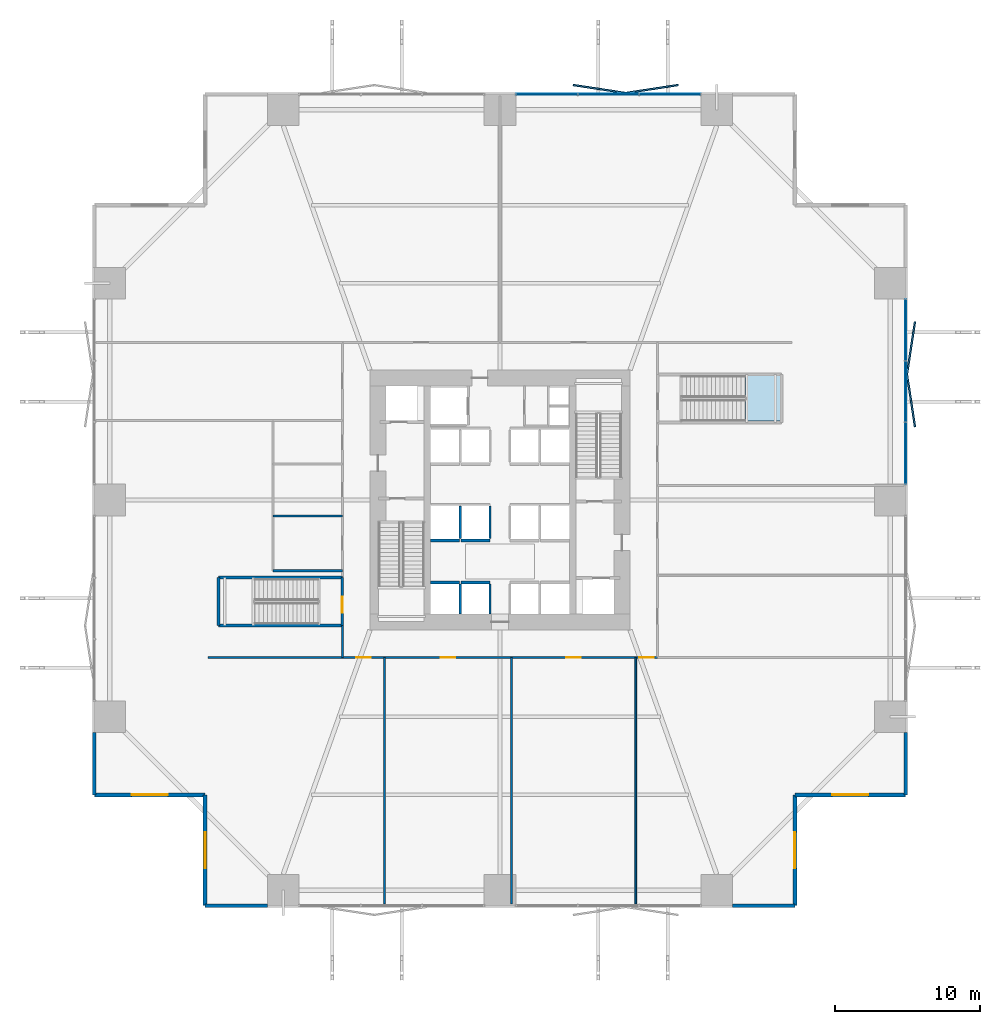
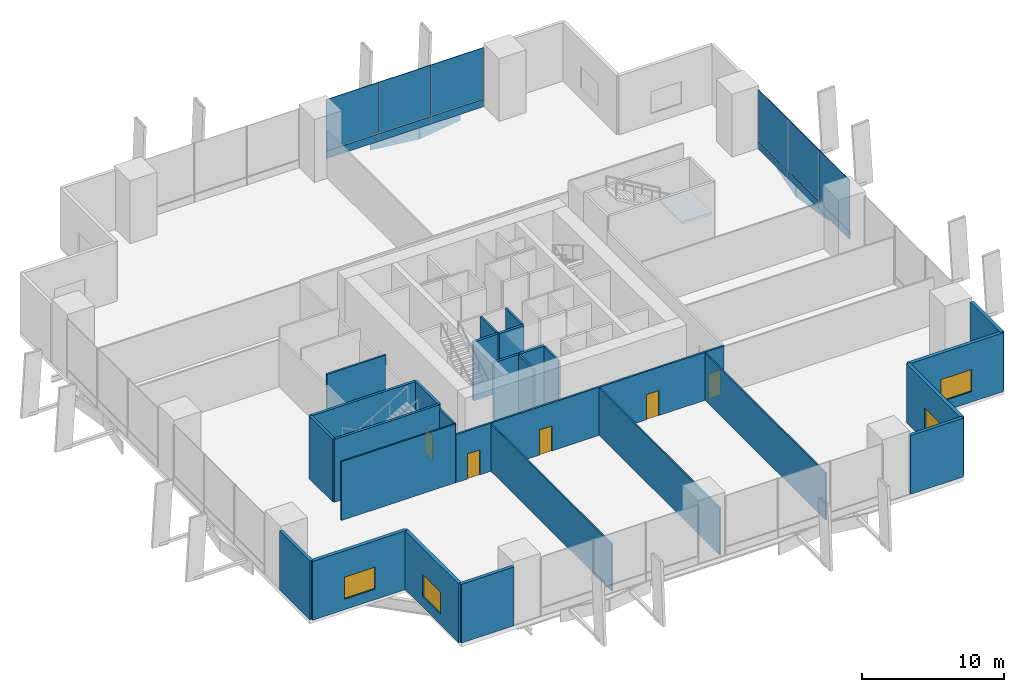
# One storey, part 19 of 24: 28 walls, 16 plates, 5 doors, 4 windows, 1 slab, 9 openings, 3 elements without a shape of their own.
"""IFC4 building model written with IfcOpenShell, lengths in metres."""

import ifcopenshell
import ifcopenshell.guid

model = None  # the IFC model being written
_history = None  # IfcOwnerHistory: only IFC2X3 demands one
_inside = {}  # id of a spatial element -> (the spatial element, [elements in it])
_under = {}  # id of a project, library or spatial element -> (it, [spatial elements below it])
_declared = {}  # id of a project -> (the project, [libraries it declares])
_typed = {}  # id of a type object -> (the type object, [elements of that type])
_made_of = {}  # id of a material, layer set ... -> (it, [elements and type objects made of it])


def new_model(schema):
    """Start an empty IFC model of exactly this schema.

    Asked for "IFC4X3", IfcOpenShell would pick the latest addendum, in which some entities
    have other attributes; the version numbers below select the first issue.
    IFC2X3 requires an IfcOwnerHistory on every rooted entity: one is made here for all.
    """
    global model, _history
    if schema == "IFC4X3":
        model = ifcopenshell.file(schema_version=(4, 3, 0, 0))
    else:
        model = ifcopenshell.file(schema=schema)
    _inside.clear()
    _under.clear()
    _declared.clear()
    _typed.clear()
    _made_of.clear()
    _history = None
    if model.schema == "IFC2X3":
        org = make("IfcOrganization", Name="unknown")
        user = make(
            "IfcPersonAndOrganization",
            ThePerson=make("IfcPerson", FamilyName="unknown"),
            TheOrganization=org,
        )
        app = make(
            "IfcApplication",
            ApplicationDeveloper=org,
            Version="unknown",
            ApplicationFullName="unknown",
            ApplicationIdentifier="unknown",
        )
        _history = make(
            "IfcOwnerHistory",
            OwningUser=user,
            OwningApplication=app,
            ChangeAction="ADDED",
            CreationDate=0,
        )
    return model


def make(cls, **values):
    """One entity of the class cls with the attributes given. An attribute that is None is left unset."""
    return model.create_entity(
        cls, **{name: value for name, value in values.items() if value is not None}
    )


def rooted(cls, **values):
    """An entity with a GlobalId (a new one), such as an element, a storey or a relation."""
    return make(cls, GlobalId=ifcopenshell.guid.new(), OwnerHistory=_history, **values)


def si_unit(unit_type, name, prefix=None):
    """IfcSIUnit, for example si_unit("LENGTHUNIT", "METRE", prefix="MILLI")."""
    return make("IfcSIUnit", UnitType=unit_type, Prefix=prefix, Name=name)


def assignment(units):
    """IfcUnitAssignment: the units of a project."""
    return None if units is None else make("IfcUnitAssignment", Units=units)


def point(xyz):
    """IfcCartesianPoint."""
    return None if xyz is None else make("IfcCartesianPoint", Coordinates=xyz)


def direction(xyz):
    """IfcDirection."""
    return None if xyz is None else make("IfcDirection", DirectionRatios=xyz)


def frame(location, z_axis=None, x_axis=None):
    """IfcAxis2Placement3D, a coordinate frame: its origin and axes. An axis left out is left unset."""
    return make(
        "IfcAxis2Placement3D",
        Location=point(location),
        Axis=direction(z_axis),
        RefDirection=direction(x_axis),
    )


def frame_2d(location, x_axis=None):
    """IfcAxis2Placement2D, a coordinate frame in the plane: its origin and x axis."""
    return make(
        "IfcAxis2Placement2D", Location=point(location), RefDirection=direction(x_axis)
    )


def origin():
    """The frame at (0, 0, 0) with its axes left unset."""
    return frame((0.0, 0.0, 0.0))


def origin_2d():
    """The frame at (0, 0) in the plane with its x axis left unset."""
    return frame_2d((0.0, 0.0))


def place(relative_to, where):
    """IfcLocalPlacement: puts the frame where relative to a parent placement (None: the world)."""
    return make(
        "IfcLocalPlacement", PlacementRelTo=relative_to, RelativePlacement=where
    )


def context(
    kind, dimensions, precision=None, world=None, true_north=None, identifier=None
):
    """IfcGeometricRepresentationContext, for example the 3D "Model" context."""
    return make(
        "IfcGeometricRepresentationContext",
        ContextIdentifier=identifier,
        ContextType=kind,
        CoordinateSpaceDimension=dimensions,
        Precision=precision,
        WorldCoordinateSystem=world,
        TrueNorth=true_north,
    )


def subcontext(parent, identifier, kind, view, scale=None):
    """IfcGeometricRepresentationSubContext, for example "Body" below "Model"."""
    return make(
        "IfcGeometricRepresentationSubContext",
        ContextIdentifier=identifier,
        ContextType=kind,
        ParentContext=parent,
        TargetScale=scale,
        TargetView=view,
    )


def project(units=None, contexts=None):
    """IfcProject with its units and contexts."""
    return rooted(
        "IfcProject",
        Name="project",
        RepresentationContexts=contexts,
        UnitsInContext=assignment(units),
    )


def spatial(cls, under=None, at=None, **own):
    """A site, building, storey or space (cls), placed at a placement, below another one or the project."""
    s = rooted(cls, ObjectPlacement=at, **own)
    if under is not None:
        _under.setdefault(under.id(), (under, []))[1].append(s)
    return s


def polyline(points):
    """IfcPolyline through the points."""
    return make("IfcPolyline", Points=[point(p) for p in points])


def profile(cls, at=None, kind="AREA", **sizes):
    """A parametric profile (cls). Its sizes go by their IFC names, for example OverallWidth=200.0."""
    return make(cls, ProfileType=kind, Position=at, **sizes)


def rectangle(**sizes):
    """IfcRectangleProfileDef."""
    return profile("IfcRectangleProfileDef", **sizes)


def outline(outer, holes=None, kind="AREA"):
    """IfcArbitraryClosedProfileDef: a profile drawn as a closed curve; with holes, ...WithVoids."""
    if holes is None:
        return make("IfcArbitraryClosedProfileDef", ProfileType=kind, OuterCurve=outer)
    return make(
        "IfcArbitraryProfileDefWithVoids",
        ProfileType=kind,
        OuterCurve=outer,
        InnerCurves=holes,
    )


def extrude(swept, where, along, depth):
    """IfcExtrudedAreaSolid: the profile swept, set in the frame where, extruded along a direction by depth."""
    return make(
        "IfcExtrudedAreaSolid",
        SweptArea=swept,
        Position=where,
        ExtrudedDirection=direction(along),
        Depth=depth,
    )


def shape(context_of_items, identifier, shape_type, items):
    """IfcShapeRepresentation: the items that make up one representation, for example the "Body"."""
    return make(
        "IfcShapeRepresentation",
        ContextOfItems=context_of_items,
        RepresentationIdentifier=identifier,
        RepresentationType=shape_type,
        Items=items,
    )


def material(Name=None, Category=None):
    """IfcMaterial."""
    return make("IfcMaterial", Name=Name, Category=Category)


def layer(
    of_material, thickness, ventilated=None, Name=None, Category=None, Priority=None
):
    """IfcMaterialLayer: one layer of a wall or slab, of a material (None: an air gap)."""
    return make(
        "IfcMaterialLayer",
        Material=of_material,
        LayerThickness=thickness,
        IsVentilated=ventilated,
        Name=Name,
        Category=Category,
        Priority=Priority,
    )


def layer_set(layers, Name=None):
    """IfcMaterialLayerSet."""
    return make("IfcMaterialLayerSet", MaterialLayers=layers, LayerSetName=Name)


def made_of(thing, what):
    """Note that an element or type object is made of a material, layer set ...; save() writes the relation."""
    if what is not None:
        _made_of.setdefault(what.id(), (what, []))[1].append(thing)
    return thing


def type_object(cls, material=None, **own):
    """A type object (cls), such as IfcWallType, which elements share."""
    return made_of(rooted(cls, **own), material)


def element(
    cls,
    number,
    at=None,
    inside=None,
    cuts=None,
    type_object=None,
    material=None,
    context=None,
    identifier="Body",
    shape_type=None,
    held_by="IfcProductDefinitionShape",
    body=None,
    shapes=None,
    **own,
):
    """One element of the class cls, such as IfcWall. Its Tag is "e" and its number.

    at: its placement. inside: the storey or other place that contains it. cuts: it is an
    opening in that element (IfcRelVoidsElement). A single representation is given by context,
    identifier, shape_type and body (its items); several are given by shapes. held_by: the class
    of the entity that holds the representations. save() writes the other relations.
    """
    e = rooted(cls, Tag="e%d" % number, ObjectPlacement=at, **own)
    if body is not None:
        shapes = [shape(context, identifier, shape_type, body)]
    if shapes is not None:
        e.Representation = make(held_by, Representations=shapes)
    if inside is not None:
        _inside.setdefault(inside.id(), (inside, []))[1].append(e)
    if cuts is not None:
        rooted(
            "IfcRelVoidsElement", RelatingBuildingElement=cuts, RelatedOpeningElement=e
        )
    if type_object is not None:
        _typed.setdefault(type_object.id(), (type_object, []))[1].append(e)
    return made_of(e, material)


def fill(opening, filler):
    """IfcRelFillsElement: the door or window that sits in an opening."""
    return rooted(
        "IfcRelFillsElement",
        RelatingOpeningElement=opening,
        RelatedBuildingElement=filler,
    )


def aggregate(whole, parts):
    """IfcRelAggregates: a whole, such as a stair, and the parts it consists of."""
    return rooted("IfcRelAggregates", RelatingObject=whole, RelatedObjects=parts)


def save(model, path):
    """Write the relations noted so far, then the file.

    IfcRelAggregates (storeys below a building ...), IfcRelContainedInSpatialStructure (elements
    in a storey), IfcRelDefinesByType, IfcRelAssociatesMaterial and IfcRelDeclares: one each for
    every whole, place, type object, material and project.
    """
    for whole, parts in _under.values():
        aggregate(whole, parts)
    for where, things in _inside.values():
        rooted(
            "IfcRelContainedInSpatialStructure",
            RelatedElements=things,
            RelatingStructure=where,
        )
    for kind, things in _typed.values():
        rooted("IfcRelDefinesByType", RelatedObjects=things, RelatingType=kind)
    for what, things in _made_of.values():
        rooted("IfcRelAssociatesMaterial", RelatedObjects=things, RelatingMaterial=what)
    for by, libraries in _declared.values():
        rooted("IfcRelDeclares", RelatingContext=by, RelatedDefinitions=libraries)
    model.write(path)


model = new_model("IFC4")

# Units and contexts
model_context = context("Model", 3, precision=1e-05, world=origin(), true_north=direction((0.0, 1.0)))
body_context = subcontext(model_context, "Body", "Model", "MODEL_VIEW")
ifc_project = project(units=[si_unit("LENGTHUNIT", "METRE"), si_unit("AREAUNIT", "SQUARE_METRE"), si_unit("VOLUMEUNIT", "CUBIC_METRE"), si_unit("PLANEANGLEUNIT", "RADIAN"), si_unit("MASSUNIT", "GRAM", prefix="KILO")], contexts=[model_context])

# Site, building, storey
site_placement = place(None, origin())
site = spatial("IfcSite", under=ifc_project, at=site_placement, CompositionType="ELEMENT")
building_placement = place(site_placement, origin())
building = spatial("IfcBuilding", under=site, at=building_placement, Name="Belovzor Exchange Tower", CompositionType="ELEMENT")
storey_placement = place(building_placement, frame((0.0, 0.0, 13.800048828125)))
storey = spatial("IfcBuildingStorey", under=building, at=storey_placement, Name="L03", CompositionType="ELEMENT", Elevation=13.800048828125)

# Plates
ifc_material_1 = material(Name="Extruded Architectural Terracotta", Category="masonry")
ifc_layer_1 = layer(ifc_material_1, 0.1201171875)
ifc_layer_set_1 = layer_set([ifc_layer_1], Name="Extruded Architectural Terracotta")
plate_type_1 = type_object("IfcPlateType", Name="Folded Zigzag Terracotta Spandrel Louvre 80", PredefinedType="USERDEFINED", material=ifc_layer_set_1)
for number, where, z_axis, x_axis, name in (
    (1, (35.699951171875, 57.235107421875, -1.03515625), (0.0, 0.0, 1.0), (0.98853081729, -0.151019281113, 0.0), "LVR-ZZ1 Zigzag Terracotta Spandrel Louvre L03 N2A"),
    (2, (39.300048828125, 57.235107421875, -1.03515625), (0.0, 0.0, 1.0), (0.98853081729, 0.151019281113, 0.0), "LVR-ZZ1 Zigzag Terracotta Spandrel Louvre L03 N2B"),
    (3, (57.235107421875, 35.699951171875, -1.03515625), (0.0, 0.0, 1.0), (-0.151019281113, 0.98853081729, 0.0), "LVR-ZZ1 Zigzag Terracotta Spandrel Louvre L03 E2A"),
    (4, (57.235107421875, 39.300048828125, -1.03515625), (0.0, 0.0, 1.0), (0.151019281113, 0.98853081729, 0.0), "LVR-ZZ1 Zigzag Terracotta Spandrel Louvre L03 E2B"),
):
    element("IfcPlate", number, at=place(storey_placement, frame(where, z_axis=z_axis, x_axis=x_axis)), inside=storey, type_object=plate_type_1, Name=name, ObjectType="SPANDREL_LOUVRE", PredefinedType="USERDEFINED", context=body_context, shape_type="SweptSolid", body=[
        extrude(rectangle(XDim=3.721923828125, YDim=0.1201171875, at=origin_2d()), origin(), (0.0, 0.0, 1.0), 1.050048828125),
    ])

# Curtain wall, plates
ifc_material_2 = material(Name="Anodised Aluminium Framing", Category="aluminium")
ifc_layer_2 = layer(ifc_material_2, 0.219970703125)
ifc_layer_set_2 = layer_set([ifc_layer_2], Name="Anodised Aluminium Framing")
curtain_wall_type = type_object("IfcCurtainWallType", Name="Podium Clear-Span Exchange Hall Unitised Curtain Wall", PredefinedType="NOTDEFINED", material=ifc_layer_set_2)
curtain_wall_1_placement = place(storey_placement, origin())
curtain_wall_1 = element("IfcCurtainWall", 5, at=curtain_wall_1_placement, inside=storey, type_object=curtain_wall_type, Name="CW1 Podium Clear-Span Exchange Hall Unitised Curtain Wall L03", PredefinedType="NOTDEFINED")
ifc_material_3 = material(Name="Reconstituted Limestone Cassette", Category="masonry")
ifc_layer_3 = layer(ifc_material_3, 0.110107421875)
ifc_layer_set_3 = layer_set([ifc_layer_3], Name="Reconstituted Limestone Cassette")
plate_type_2 = type_object("IfcPlateType", Name="Insulated Stone-Faced Spandrel Cassette 110", PredefinedType="CURTAIN_PANEL", material=ifc_layer_set_3)
plate_1_placement = place(storey_placement, frame((32.032958984375, 56.8701171875, 0.0), z_axis=(0.0, 0.0, 1.0), x_axis=(1.0, 0.0, 0.0)))
plate_1 = element("IfcPlate", 6, at=plate_1_placement, type_object=plate_type_2, Name="SPD-110 Spandrel Panel 1", PredefinedType="CURTAIN_PANEL", context=body_context, shape_type="SweptSolid", body=[
    extrude(rectangle(XDim=4.2509765625, YDim=0.110107421875, at=origin_2d()), origin(), (0.0, 0.0, 1.0), 0.64794921875),
])
plate_2_placement = place(storey_placement, frame((36.300048828125, 56.8701171875, 0.0), z_axis=(0.0, 0.0, 1.0), x_axis=(1.0, 0.0, 0.0)))
plate_2 = element("IfcPlate", 7, at=plate_2_placement, type_object=plate_type_2, Name="SPD-110 Spandrel Panel 2", PredefinedType="CURTAIN_PANEL", context=body_context, shape_type="SweptSolid", body=[
    extrude(rectangle(XDim=4.2509765625, YDim=0.110107421875, at=origin_2d()), origin(), (0.0, 0.0, 1.0), 0.64794921875),
])
plate_3_placement = place(storey_placement, frame((40.56689453125, 56.8701171875, 0.0), z_axis=(0.0, 0.0, 1.0), x_axis=(1.0, 0.0, 0.0)))
plate_3 = element("IfcPlate", 8, at=plate_3_placement, type_object=plate_type_2, Name="SPD-110 Spandrel Panel 3", PredefinedType="CURTAIN_PANEL", context=body_context, shape_type="SweptSolid", body=[
    extrude(rectangle(XDim=4.2509765625, YDim=0.110107421875, at=origin_2d()), origin(), (0.0, 0.0, 1.0), 0.64794921875),
])

curtain_wall_2_placement = place(storey_placement, origin())
curtain_wall_2 = element("IfcCurtainWall", 9, at=curtain_wall_2_placement, inside=storey, type_object=curtain_wall_type, Name="CW1 Podium Clear-Span Exchange Hall Unitised Curtain Wall L03", PredefinedType="NOTDEFINED")
plate_4_placement = place(storey_placement, frame((56.8701171875, 40.56689453125, 0.0), z_axis=(0.0, 0.0, 1.0), x_axis=(0.0, -1.0, 0.0)))
plate_4 = element("IfcPlate", 10, at=plate_4_placement, type_object=plate_type_2, Name="SPD-110 Spandrel Panel 1", PredefinedType="CURTAIN_PANEL", context=body_context, shape_type="SweptSolid", body=[
    extrude(rectangle(XDim=4.2509765625, YDim=0.110107421875, at=origin_2d()), origin(), (0.0, 0.0, 1.0), 0.64794921875),
])
plate_5_placement = place(storey_placement, frame((56.8701171875, 36.300048828125, 0.0), z_axis=(0.0, 0.0, 1.0), x_axis=(0.0, -1.0, 0.0)))
plate_5 = element("IfcPlate", 11, at=plate_5_placement, type_object=plate_type_2, Name="SPD-110 Spandrel Panel 2", PredefinedType="CURTAIN_PANEL", context=body_context, shape_type="SweptSolid", body=[
    extrude(rectangle(XDim=4.2509765625, YDim=0.110107421875, at=origin_2d()), origin(), (0.0, 0.0, 1.0), 0.64794921875),
])
plate_6_placement = place(storey_placement, frame((56.8701171875, 32.032958984375, 0.0), z_axis=(0.0, 0.0, 1.0), x_axis=(0.0, -1.0, 0.0)))
plate_6 = element("IfcPlate", 12, at=plate_6_placement, type_object=plate_type_2, Name="SPD-110 Spandrel Panel 3", PredefinedType="CURTAIN_PANEL", context=body_context, shape_type="SweptSolid", body=[
    extrude(rectangle(XDim=4.2509765625, YDim=0.110107421875, at=origin_2d()), origin(), (0.0, 0.0, 1.0), 0.64794921875),
])

# Stair, slab
ifc_material_4 = material(Name="Concrete C40/50", Category="concrete")
stair_type = type_object("IfcStairType", Name="Reinforced Concrete Podium Escape Stair 1400", PredefinedType="HALF_TURN_STAIR", material=ifc_material_4)
stair_placement = place(storey_placement, origin())
stair = element("IfcStair", 13, at=stair_placement, inside=storey, type_object=stair_type, Name="L03 ST-4", PredefinedType="HALF_TURN_STAIR")
ifc_material_5 = material(Name="Concrete C40/50", Category="concrete")
ifc_layer_4 = layer(ifc_material_5, 0.199951171875)
ifc_layer_set_4 = layer_set([ifc_layer_4], Name="Concrete C40/50")
slab_type = type_object("IfcSlabType", Name="Reinforced Concrete Stair Half-Landing Slab 200", PredefinedType="LANDING", material=ifc_layer_set_4)
slab_placement = place(storey_placement, frame((0.0, 0.0, 2.5)))
slab = element("IfcSlab", 14, at=slab_placement, type_object=slab_type, Name="ST-4 landing 1", PredefinedType="LANDING", context=body_context, shape_type="SweptSolid", body=[
    extrude(outline(polyline([(45.75, 34.25), (48.199951171875, 34.25), (48.199951171875, 37.39990234375), (45.75, 37.39990234375), (45.75, 34.25)])), origin(), (0.0, 0.0, 1.0), 0.199951171875),
])
aggregate(stair, [slab])

# Plate
ifc_material_6 = material(Name="Low-Iron Triple Glazing", Category="glass")
ifc_layer_5 = layer(ifc_material_6, 0.053955078125)
ifc_layer_set_5 = layer_set([ifc_layer_5], Name="Low-Iron Triple Glazing")
plate_type_3 = type_object("IfcPlateType", Name="Triple-Glazed Low-Iron Curtain Panel 54", PredefinedType="CURTAIN_PANEL", material=ifc_layer_set_5)
plate_7_placement = place(storey_placement, frame((32.032958984375, 56.8701171875, 0.65185546875), z_axis=(0.0, 0.0, 1.0), x_axis=(1.0, 0.0, 0.0)))
plate_7 = element("IfcPlate", 15, at=plate_7_placement, type_object=plate_type_3, Name="GLZ-54 Glazed Curtain Panel 1", PredefinedType="CURTAIN_PANEL", context=body_context, shape_type="SweptSolid", body=[
    extrude(rectangle(XDim=4.2509765625, YDim=0.053955078125, at=origin_2d()), origin(), (0.0, 0.0, 1.0), 4.39794921875),
])

plate_8_placement = place(storey_placement, frame((36.300048828125, 56.8701171875, 0.65185546875), z_axis=(0.0, 0.0, 1.0), x_axis=(1.0, 0.0, 0.0)))
plate_8 = element("IfcPlate", 16, at=plate_8_placement, type_object=plate_type_3, Name="GLZ-54 Glazed Curtain Panel 2", PredefinedType="CURTAIN_PANEL", context=body_context, shape_type="SweptSolid", body=[
    extrude(rectangle(XDim=4.2509765625, YDim=0.053955078125, at=origin_2d()), origin(), (0.0, 0.0, 1.0), 4.39794921875),
])

plate_9_placement = place(storey_placement, frame((40.56689453125, 56.8701171875, 0.65185546875), z_axis=(0.0, 0.0, 1.0), x_axis=(1.0, 0.0, 0.0)))
plate_9 = element("IfcPlate", 17, at=plate_9_placement, type_object=plate_type_3, Name="GLZ-54 Glazed Curtain Panel 3", PredefinedType="CURTAIN_PANEL", context=body_context, shape_type="SweptSolid", body=[
    extrude(rectangle(XDim=4.2509765625, YDim=0.053955078125, at=origin_2d()), origin(), (0.0, 0.0, 1.0), 4.39794921875),
])

aggregate(curtain_wall_1, [plate_1, plate_7, plate_2, plate_8, plate_3, plate_9])

plate_10_placement = place(storey_placement, frame((56.8701171875, 40.56689453125, 0.65185546875), z_axis=(0.0, 0.0, 1.0), x_axis=(0.0, -1.0, 0.0)))
plate_10 = element("IfcPlate", 18, at=plate_10_placement, type_object=plate_type_3, Name="GLZ-54 Glazed Curtain Panel 1", PredefinedType="CURTAIN_PANEL", context=body_context, shape_type="SweptSolid", body=[
    extrude(rectangle(XDim=4.2509765625, YDim=0.053955078125, at=origin_2d()), origin(), (0.0, 0.0, 1.0), 4.39794921875),
])

plate_11_placement = place(storey_placement, frame((56.8701171875, 36.300048828125, 0.65185546875), z_axis=(0.0, 0.0, 1.0), x_axis=(0.0, -1.0, 0.0)))
plate_11 = element("IfcPlate", 19, at=plate_11_placement, type_object=plate_type_3, Name="GLZ-54 Glazed Curtain Panel 2", PredefinedType="CURTAIN_PANEL", context=body_context, shape_type="SweptSolid", body=[
    extrude(rectangle(XDim=4.2509765625, YDim=0.053955078125, at=origin_2d()), origin(), (0.0, 0.0, 1.0), 4.39794921875),
])

plate_12_placement = place(storey_placement, frame((56.8701171875, 32.032958984375, 0.65185546875), z_axis=(0.0, 0.0, 1.0), x_axis=(0.0, -1.0, 0.0)))
plate_12 = element("IfcPlate", 20, at=plate_12_placement, type_object=plate_type_3, Name="GLZ-54 Glazed Curtain Panel 3", PredefinedType="CURTAIN_PANEL", context=body_context, shape_type="SweptSolid", body=[
    extrude(rectangle(XDim=4.2509765625, YDim=0.053955078125, at=origin_2d()), origin(), (0.0, 0.0, 1.0), 4.39794921875),
])

aggregate(curtain_wall_2, [plate_4, plate_10, plate_5, plate_11, plate_6, plate_12])

# Walls
ifc_material_7 = material(Name="Acoustic Plasterboard on Galvanised Studs", Category="gypsum")
ifc_layer_6 = layer(ifc_material_7, 0.1201171875)
ifc_layer_set_6 = layer_set([ifc_layer_6], Name="Acoustic Plasterboard on Galvanised Studs")
wall_type_1 = type_object("IfcWallType", Name="Acoustic Double-Stud Partition Wall 120", PredefinedType="PARTITIONING", material=ifc_layer_set_6)
for number, where, z_axis, x_axis, name in (
    (21, (20.800048828125, 0.85009765625, 0.0), (0.0, 0.0, 1.0), (0.0, 1.0, 0.0), "W-P120 Partition Wall W-L03-SD1"),
    (22, (29.60009765625, 0.85009765625, 0.0), (0.0, 0.0, 1.0), (0.0, 1.0, 0.0), "W-P120 Partition Wall W-L03-SD2"),
    (23, (38.199951171875, 0.85009765625, 0.0), (0.0, 0.0, 1.0), (0.0, 1.0, 0.0), "W-P120 Partition Wall W-L03-SD3"),
):
    element("IfcWall", number, at=place(storey_placement, frame(where, z_axis=z_axis, x_axis=x_axis)), inside=storey, type_object=wall_type_1, Name=name, PredefinedType="PARTITIONING", context=body_context, shape_type="SweptSolid", body=[
        extrude(rectangle(XDim=17.0498046875, YDim=0.1201171875, at=frame_2d((8.52490234375, 0.0))), origin(), (0.0, 0.0, 1.0), 4.034912109375),
    ])
wall_1_placement = place(storey_placement, frame((8.60009765625, 17.89990234375, 0.0), z_axis=(0.0, 0.0, 1.0), x_axis=(1.0, 0.0, 0.0)))
element("IfcWall", 24, at=wall_1_placement, inside=storey, type_object=wall_type_1, Name="W-P120 Partition Wall W-L03-OUT-SW", PredefinedType="PARTITIONING", context=body_context, shape_type="SweptSolid", body=[
    extrude(rectangle(XDim=9.2998046875, YDim=0.1201171875, at=frame_2d((4.64990234375, 0.0))), origin(), (0.0, 0.0, 1.0), 5.050048828125),
])
ifc_material_8 = material(Name="Fire-Rated Gypsum Block and Mineral Wool", Category="gypsum")
ifc_layer_7 = layer(ifc_material_8, 0.14990234375)
ifc_layer_set_7 = layer_set([ifc_layer_7], Name="Fire-Rated Gypsum Block and Mineral Wool")
wall_type_2 = type_object("IfcWallType", Name="Fire-Rated Gypsum Block Corridor Wall 150", PredefinedType="PARTITIONING", material=ifc_layer_set_7)
for number, where, z_axis, x_axis, name in (
    (25, (13.10009765625, 23.89990234375, 0.0), (0.0, 0.0, 1.0), (1.0, 0.0, 0.0), "W-P150 Partition Wall W-L03-WC-S"),
    (26, (13.10009765625, 27.699951171875, 0.0), (0.0, 0.0, 1.0), (1.0, 0.0, 0.0), "W-P150 Partition Wall W-L03-WC-D1"),
):
    element("IfcWall", number, at=place(storey_placement, frame(where, z_axis=z_axis, x_axis=x_axis)), inside=storey, type_object=wall_type_2, Name=name, PredefinedType="PARTITIONING", context=body_context, shape_type="SweptSolid", body=[
        extrude(rectangle(XDim=4.7998046875, YDim=0.14990234375, at=frame_2d((2.39990234375, 0.0))), origin(), (0.0, 0.0, 1.0), 5.050048828125),
    ])

# Wall, openings, doors
wall_2_placement = place(storey_placement, frame((17.89990234375, 17.89990234375, 0.0), z_axis=(0.0, 0.0, 1.0), x_axis=(1.0, 0.0, 0.0)))
wall_2 = element("IfcWall", 27, at=wall_2_placement, inside=storey, type_object=wall_type_2, Name="W-P150 Partition Wall W-L03-CS", PredefinedType="PARTITIONING", context=body_context, shape_type="SweptSolid", body=[
    extrude(rectangle(XDim=21.800048828125, YDim=0.14990234375, at=frame_2d((10.89990234375, 0.0))), origin(), (0.0, 0.0, 1.0), 4.135009765625),
])
opening_1_placement = place(wall_2_placement, frame((0.949951171875, 0.0, 0.0)))
opening_1 = element("IfcOpeningElement", 28, at=opening_1_placement, cuts=wall_2, Name="Opening D-FD60-105", PredefinedType="OPENING", context=body_context, shape_type="SweptSolid", body=[
    extrude(rectangle(XDim=1.0, YDim=2.14990234375, at=frame_2d((0.5, 1.074951171875))), frame((0.0, 0.0849609375, 0.0), z_axis=(0.0, -1.0, 0.0), x_axis=(1.0, 0.0, 0.0)), (0.0, 0.0, 1.0), 0.169921875),
])
opening_2_placement = place(wall_2_placement, frame((6.800048828125, 0.0, 0.0)))
opening_2 = element("IfcOpeningElement", 29, at=opening_2_placement, cuts=wall_2, Name="Opening D-FD60-105", PredefinedType="OPENING", context=body_context, shape_type="SweptSolid", body=[
    extrude(rectangle(XDim=1.0, YDim=2.14990234375, at=frame_2d((0.5, 1.074951171875))), frame((0.0, 0.0849609375, 0.0), z_axis=(0.0, -1.0, 0.0), x_axis=(1.0, 0.0, 0.0)), (0.0, 0.0, 1.0), 0.169921875),
])
opening_3_placement = place(wall_2_placement, frame((15.5, 0.0, 0.0)))
opening_3 = element("IfcOpeningElement", 30, at=opening_3_placement, cuts=wall_2, Name="Opening D-FD60-105", PredefinedType="OPENING", context=body_context, shape_type="SweptSolid", body=[
    extrude(rectangle(XDim=1.0, YDim=2.14990234375, at=frame_2d((0.5, 1.074951171875))), frame((0.0, 0.0849609375, 0.0), z_axis=(0.0, -1.0, 0.0), x_axis=(1.0, 0.0, 0.0)), (0.0, 0.0, 1.0), 0.169921875),
])
opening_4_placement = place(wall_2_placement, frame((20.550048828125, 0.0, 0.0)))
opening_4 = element("IfcOpeningElement", 31, at=opening_4_placement, cuts=wall_2, Name="Opening D-FD60-105", PredefinedType="OPENING", context=body_context, shape_type="SweptSolid", body=[
    extrude(rectangle(XDim=1.0, YDim=2.14990234375, at=frame_2d((0.5, 1.074951171875))), frame((0.0, 0.0849609375, 0.0), z_axis=(0.0, -1.0, 0.0), x_axis=(1.0, 0.0, 0.0)), (0.0, 0.0, 1.0), 0.169921875),
])
ifc_material_9 = material(Name="Acoustic Timber Fire Leaf", Category="wood")
door_type_1 = type_object("IfcDoorType", Name="Podium Gallery Acoustic Fire Door 1000x2150", OperationType="NOTDEFINED", PredefinedType="DOOR", material=ifc_material_9)
door_1_placement = place(opening_1_placement, origin())
door_1 = element("IfcDoor", 32, at=door_1_placement, inside=storey, type_object=door_type_1, Name="D-FD60-105 Podium Gallery Acoustic Fire Door 1000x2150", OperationType="SINGLE_SWING_LEFT", OverallHeight=2.14990234375, OverallWidth=1.0, PredefinedType="DOOR", context=body_context, shape_type="SweptSolid", body=[
    extrude(rectangle(XDim=1.0, YDim=2.14990234375, at=frame_2d((0.5, 1.074951171875))), frame((0.0, 0.02490234375, 0.0), z_axis=(0.0, -1.0, 0.0), x_axis=(1.0, 0.0, 0.0)), (0.0, 0.0, 1.0), 0.050048828125),
])
fill(opening_1, door_1)
door_2_placement = place(opening_2_placement, origin())
door_2 = element("IfcDoor", 33, at=door_2_placement, inside=storey, type_object=door_type_1, Name="D-FD60-105 Podium Gallery Acoustic Fire Door 1000x2150", OperationType="SINGLE_SWING_LEFT", OverallHeight=2.14990234375, OverallWidth=1.0, PredefinedType="DOOR", context=body_context, shape_type="SweptSolid", body=[
    extrude(rectangle(XDim=1.0, YDim=2.14990234375, at=frame_2d((0.5, 1.074951171875))), frame((0.0, 0.02490234375, 0.0), z_axis=(0.0, -1.0, 0.0), x_axis=(1.0, 0.0, 0.0)), (0.0, 0.0, 1.0), 0.050048828125),
])
fill(opening_2, door_2)
door_3_placement = place(opening_3_placement, origin())
door_3 = element("IfcDoor", 34, at=door_3_placement, inside=storey, type_object=door_type_1, Name="D-FD60-105 Podium Gallery Acoustic Fire Door 1000x2150", OperationType="SINGLE_SWING_LEFT", OverallHeight=2.14990234375, OverallWidth=1.0, PredefinedType="DOOR", context=body_context, shape_type="SweptSolid", body=[
    extrude(rectangle(XDim=1.0, YDim=2.14990234375, at=frame_2d((0.5, 1.074951171875))), frame((0.0, 0.02490234375, 0.0), z_axis=(0.0, -1.0, 0.0), x_axis=(1.0, 0.0, 0.0)), (0.0, 0.0, 1.0), 0.050048828125),
])
fill(opening_3, door_3)
door_4_placement = place(opening_4_placement, origin())
door_4 = element("IfcDoor", 35, at=door_4_placement, inside=storey, type_object=door_type_1, Name="D-FD60-105 Podium Gallery Acoustic Fire Door 1000x2150", OperationType="SINGLE_SWING_LEFT", OverallHeight=2.14990234375, OverallWidth=1.0, PredefinedType="DOOR", context=body_context, shape_type="SweptSolid", body=[
    extrude(rectangle(XDim=1.0, YDim=2.14990234375, at=frame_2d((0.5, 1.074951171875))), frame((0.0, 0.02490234375, 0.0), z_axis=(0.0, -1.0, 0.0), x_axis=(1.0, 0.0, 0.0)), (0.0, 0.0, 1.0), 0.050048828125),
])
fill(opening_4, door_4)

# Wall
wall_3_placement = place(storey_placement, frame((17.89990234375, 17.89990234375, 0.0), z_axis=(0.0, 0.0, 1.0), x_axis=(0.0, 1.0, 0.0)))
element("IfcWall", 36, at=wall_3_placement, inside=storey, type_object=wall_type_2, Name="W-P150 Partition Wall W-L03-CWS", PredefinedType="PARTITIONING", context=body_context, shape_type="SweptSolid", body=[
    extrude(rectangle(XDim=2.2001953125, YDim=0.14990234375, at=frame_2d((1.10009765625, 0.0))), origin(), (0.0, 0.0, 1.0), 5.050048828125),
])

# Wall, opening, window
ifc_material_10 = material(Name="Precast concrete C40/50", Category="concrete")
ifc_layer_8 = layer(ifc_material_10, 0.280029296875)
ifc_layer_set_8 = layer_set([ifc_layer_8], Name="Precast concrete C40/50")
wall_type_3 = type_object("IfcWallType", Name="Precast Concrete Notched Corner Frame Wall 280", PredefinedType="SOLIDWALL", material=ifc_layer_set_8)
wall_4_placement = place(storey_placement, frame((8.39990234375, 0.72998046875, 0.0), z_axis=(0.0, 0.0, 1.0), x_axis=(0.0, 1.0, 0.0)))
wall_4 = element("IfcWall", 37, at=wall_4_placement, inside=storey, type_object=wall_type_3, Name="W-CRN280 Precast Concrete Notched Corner Frame Wall 280 L03", PredefinedType="SOLIDWALL", context=body_context, shape_type="SweptSolid", body=[
    extrude(rectangle(XDim=7.669921875, YDim=0.280029296875, at=frame_2d((3.8349609375, 0.0))), origin(), (0.0, 0.0, 1.0), 5.050048828125),
])
opening_5_placement = place(wall_4_placement, frame((2.5849609375, 0.0, 0.89990234375)))
opening_5 = element("IfcOpeningElement", 38, at=opening_5_placement, cuts=wall_4, Name="Opening WN-CRN250", PredefinedType="OPENING", context=body_context, shape_type="SweptSolid", body=[
    extrude(rectangle(XDim=2.5, YDim=1.89990234375, at=frame_2d((1.25, 0.949951171875))), frame((0.0, 0.14990234375, 0.0), z_axis=(0.0, -1.0, 0.0), x_axis=(1.0, 0.0, 0.0)), (0.0, 0.0, 1.0), 0.300048828125),
])
ifc_material_11 = material(Name="Thermally Broken Aluminium and Triple Glazing", Category="aluminium")
window_type = type_object("IfcWindowType", Name="Streamline Moderne Corner Wrap Ribbon Window 2500x1900", PartitioningType="SINGLE_PANEL", PredefinedType="WINDOW", material=ifc_material_11)
window_1_placement = place(opening_5_placement, origin())
window_1 = element("IfcWindow", 39, at=window_1_placement, inside=storey, type_object=window_type, Name="WN-CRN250 Streamline Moderne Corner Wrap Ribbon Window 2500x1900", OverallHeight=1.89990234375, OverallWidth=2.5, PartitioningType="SINGLE_PANEL", PredefinedType="WINDOW", context=body_context, shape_type="SweptSolid", body=[
    extrude(rectangle(XDim=2.5, YDim=1.89990234375, at=frame_2d((1.25, 0.949951171875))), frame((0.0, 0.030029296875, 0.0), z_axis=(0.0, -1.0, 0.0), x_axis=(1.0, 0.0, 0.0)), (0.0, 0.0, 1.0), 0.06005859375),
])
fill(opening_5, window_1)

wall_5_placement = place(storey_placement, frame((8.39990234375, 8.39990234375, 0.0), z_axis=(0.0, 0.0, 1.0), x_axis=(-1.0, 0.0, 0.0)))
wall_5 = element("IfcWall", 40, at=wall_5_placement, inside=storey, type_object=wall_type_3, Name="W-CRN280 Precast Concrete Notched Corner Frame Wall 280 L03", PredefinedType="SOLIDWALL", context=body_context, shape_type="SweptSolid", body=[
    extrude(rectangle(XDim=7.669921875, YDim=0.280029296875, at=frame_2d((3.8349609375, 0.0))), origin(), (0.0, 0.0, 1.0), 5.050048828125),
])
opening_6_placement = place(wall_5_placement, frame((2.5849609375, 0.0, 0.89990234375)))
opening_6 = element("IfcOpeningElement", 41, at=opening_6_placement, cuts=wall_5, Name="Opening WN-CRN250", PredefinedType="OPENING", context=body_context, shape_type="SweptSolid", body=[
    extrude(rectangle(XDim=2.5, YDim=1.89990234375, at=frame_2d((1.25, 0.949951171875))), frame((0.0, 0.14990234375, 0.0), z_axis=(0.0, -1.0, 0.0), x_axis=(1.0, 0.0, 0.0)), (0.0, 0.0, 1.0), 0.300048828125),
])
window_2_placement = place(opening_6_placement, origin())
window_2 = element("IfcWindow", 42, at=window_2_placement, inside=storey, type_object=window_type, Name="WN-CRN250 Streamline Moderne Corner Wrap Ribbon Window 2500x1900", OverallHeight=1.89990234375, OverallWidth=2.5, PartitioningType="SINGLE_PANEL", PredefinedType="WINDOW", context=body_context, shape_type="SweptSolid", body=[
    extrude(rectangle(XDim=2.5, YDim=1.89990234375, at=frame_2d((1.25, 0.949951171875))), frame((0.0, 0.030029296875, 0.0), z_axis=(0.0, -1.0, 0.0), x_axis=(1.0, 0.0, 0.0)), (0.0, 0.0, 1.0), 0.06005859375),
])
fill(opening_6, window_2)

wall_6_placement = place(storey_placement, frame((56.8701171875, 8.39990234375, 0.0), z_axis=(0.0, 0.0, 1.0), x_axis=(-1.0, 0.0, 0.0)))
wall_6 = element("IfcWall", 43, at=wall_6_placement, inside=storey, type_object=wall_type_3, Name="W-CRN280 Precast Concrete Notched Corner Frame Wall 280 L03", PredefinedType="SOLIDWALL", context=body_context, shape_type="SweptSolid", body=[
    extrude(rectangle(XDim=7.670166015625, YDim=0.280029296875, at=frame_2d((3.8349609375, 0.0))), origin(), (0.0, 0.0, 1.0), 5.050048828125),
])
opening_7_placement = place(wall_6_placement, frame((2.5849609375, 0.0, 0.89990234375)))
opening_7 = element("IfcOpeningElement", 44, at=opening_7_placement, cuts=wall_6, Name="Opening WN-CRN250", PredefinedType="OPENING", context=body_context, shape_type="SweptSolid", body=[
    extrude(rectangle(XDim=2.5, YDim=1.89990234375, at=frame_2d((1.25, 0.949951171875))), frame((0.0, 0.14990234375, 0.0), z_axis=(0.0, -1.0, 0.0), x_axis=(1.0, 0.0, 0.0)), (0.0, 0.0, 1.0), 0.300048828125),
])
window_3_placement = place(opening_7_placement, origin())
window_3 = element("IfcWindow", 45, at=window_3_placement, inside=storey, type_object=window_type, Name="WN-CRN250 Streamline Moderne Corner Wrap Ribbon Window 2500x1900", OverallHeight=1.89990234375, OverallWidth=2.5, PartitioningType="SINGLE_PANEL", PredefinedType="WINDOW", context=body_context, shape_type="SweptSolid", body=[
    extrude(rectangle(XDim=2.5, YDim=1.89990234375, at=frame_2d((1.25, 0.949951171875))), frame((0.0, 0.030029296875, 0.0), z_axis=(0.0, -1.0, 0.0), x_axis=(1.0, 0.0, 0.0)), (0.0, 0.0, 1.0), 0.06005859375),
])
fill(opening_7, window_3)

wall_7_placement = place(storey_placement, frame((49.199951171875, 8.39990234375, 0.0), z_axis=(0.0, 0.0, 1.0), x_axis=(0.0, -1.0, 0.0)))
wall_7 = element("IfcWall", 46, at=wall_7_placement, inside=storey, type_object=wall_type_3, Name="W-CRN280 Precast Concrete Notched Corner Frame Wall 280 L03", PredefinedType="SOLIDWALL", context=body_context, shape_type="SweptSolid", body=[
    extrude(rectangle(XDim=7.669921875, YDim=0.280029296875, at=frame_2d((3.8349609375, 0.0))), origin(), (0.0, 0.0, 1.0), 5.050048828125),
])
opening_8_placement = place(wall_7_placement, frame((2.5849609375, 0.0, 0.89990234375)))
opening_8 = element("IfcOpeningElement", 47, at=opening_8_placement, cuts=wall_7, Name="Opening WN-CRN250", PredefinedType="OPENING", context=body_context, shape_type="SweptSolid", body=[
    extrude(rectangle(XDim=2.5, YDim=1.89990234375, at=frame_2d((1.25, 0.949951171875))), frame((0.0, 0.14990234375, 0.0), z_axis=(0.0, -1.0, 0.0), x_axis=(1.0, 0.0, 0.0)), (0.0, 0.0, 1.0), 0.300048828125),
])
window_4_placement = place(opening_8_placement, origin())
window_4 = element("IfcWindow", 48, at=window_4_placement, inside=storey, type_object=window_type, Name="WN-CRN250 Streamline Moderne Corner Wrap Ribbon Window 2500x1900", OverallHeight=1.89990234375, OverallWidth=2.5, PartitioningType="SINGLE_PANEL", PredefinedType="WINDOW", context=body_context, shape_type="SweptSolid", body=[
    extrude(rectangle(XDim=2.5, YDim=1.89990234375, at=frame_2d((1.25, 0.949951171875))), frame((0.0, 0.030029296875, 0.0), z_axis=(0.0, -1.0, 0.0), x_axis=(1.0, 0.0, 0.0)), (0.0, 0.0, 1.0), 0.06005859375),
])
fill(opening_8, window_4)

# Walls
ifc_material_12 = material(Name="Precast concrete C40/50", Category="concrete")
ifc_layer_9 = layer(ifc_material_12, 0.260009765625)
ifc_layer_set_9 = layer_set([ifc_layer_9], Name="Precast concrete C40/50")
wall_type_4 = type_object("IfcWallType", Name="Precast Concrete Perimeter Loggia Frame Wall 260", PredefinedType="SOLIDWALL", material=ifc_layer_set_9)
for number, where, z_axis, x_axis, name in (
    (49, (12.699951171875, 0.72998046875, 0.0), (0.0, 0.0, 1.0), (-1.0, 0.0, 0.0), "W-EXT260 Precast Concrete Perimeter Loggia Frame Wall 260 L03"),
    (50, (49.199951171875, 0.72998046875, 0.0), (0.0, 0.0, 1.0), (-1.0, 0.0, 0.0), "W-EXT260 Precast Concrete Perimeter Loggia Frame Wall 260 L03"),
    (51, (0.72998046875, 8.39990234375, 0.0), (0.0, 0.0, 1.0), (0.0, 1.0, 0.0), "W-EXT260 Precast Concrete Perimeter Loggia Frame Wall 260 L03"),
    (52, (56.8701171875, 12.699951171875, 0.0), (0.0, 0.0, 1.0), (0.0, -1.0, 0.0), "W-EXT260 Precast Concrete Perimeter Loggia Frame Wall 260 L03"),
):
    element("IfcWall", number, at=place(storey_placement, frame(where, z_axis=z_axis, x_axis=x_axis)), inside=storey, type_object=wall_type_4, Name=name, PredefinedType="SOLIDWALL", context=body_context, shape_type="SweptSolid", body=[
        extrude(rectangle(XDim=4.300048828125, YDim=0.260009765625, at=frame_2d((2.14990234375, 0.0))), origin(), (0.0, 0.0, 1.0), 5.050048828125),
    ])
ifc_material_13 = material(Name="Concrete C50/60", Category="concrete")
ifc_layer_10 = layer(ifc_material_13, 0.14990234375)
ifc_layer_set_10 = layer_set([ifc_layer_10], Name="Concrete C50/60")
wall_type_5 = type_object("IfcWallType", Name="Reinforced Concrete Core Riser Shear Wall 150", PredefinedType="SHEAR", material=ifc_layer_set_10)
for number, where, z_axis, x_axis, name in (
    (53, (26.050048828125, 20.919921875, 0.0), (0.0, 0.0, 1.0), (0.0, 1.0, 0.0), "W-C150S Core Shaft Wall W-SHD-L03-PLL-1"),
    (54, (28.10009765625, 20.919921875, 0.0), (0.0, 0.0, 1.0), (0.0, 1.0, 0.0), "W-C150S Core Shaft Wall W-SHD-L03-PLL-2"),
):
    element("IfcWall", number, at=place(storey_placement, frame(where, z_axis=z_axis, x_axis=x_axis)), inside=storey, type_object=wall_type_5, Name=name, PredefinedType="SHEAR", context=body_context, shape_type="SweptSolid", body=[
        extrude(rectangle(XDim=2.06005859375, YDim=0.14990234375, at=frame_2d((1.030029296875, 0.0))), origin(), (0.0, 0.0, 1.0), 5.050048828125),
    ])
for number, where, z_axis, x_axis, name in (
    (55, (26.050048828125, 26.1201171875, 0.0), (0.0, 0.0, 1.0), (0.0, 1.0, 0.0), "W-C150S Core Shaft Wall W-SHD-L03-PLM-1"),
    (56, (28.10009765625, 26.1201171875, 0.0), (0.0, 0.0, 1.0), (0.0, 1.0, 0.0), "W-C150S Core Shaft Wall W-SHD-L03-PLM-2"),
):
    element("IfcWall", number, at=place(storey_placement, frame(where, z_axis=z_axis, x_axis=x_axis)), inside=storey, type_object=wall_type_5, Name=name, PredefinedType="SHEAR", context=body_context, shape_type="SweptSolid", body=[
        extrude(rectangle(XDim=2.27978515625, YDim=0.14990234375, at=frame_2d((1.139892578125, 0.0))), origin(), (0.0, 0.0, 1.0), 5.050048828125),
    ])
ifc_material_14 = material(Name="Concrete C50/60", Category="concrete")
ifc_layer_11 = layer(ifc_material_14, 0.199951171875)
ifc_layer_set_11 = layer_set([ifc_layer_11], Name="Concrete C50/60")
wall_type_6 = type_object("IfcWallType", Name="Reinforced Concrete Core Shaft Shear Wall 200", PredefinedType="SHEAR", material=ifc_layer_set_11)
for number, where, z_axis, x_axis, name in (
    (57, (24.0, 23.10009765625, 0.0), (0.0, 0.0, 1.0), (1.0, 0.0, 0.0), "W-C200S Core Shaft Wall W-SH-L03-PL-L1"),
    (58, (26.10009765625, 23.10009765625, 0.0), (0.0, 0.0, 1.0), (1.0, 0.0, 0.0), "W-C200S Core Shaft Wall W-SH-L03-PL-L2"),
    (59, (24.0, 26.0, 0.0), (0.0, 0.0, 1.0), (1.0, 0.0, 0.0), "W-C200S Core Shaft Wall W-SH-L03-PL-M1"),
    (60, (26.10009765625, 26.0, 0.0), (0.0, 0.0, 1.0), (1.0, 0.0, 0.0), "W-C200S Core Shaft Wall W-SH-L03-PL-M2"),
):
    element("IfcWall", number, at=place(storey_placement, frame(where, z_axis=z_axis, x_axis=x_axis)), inside=storey, type_object=wall_type_6, Name=name, PredefinedType="SHEAR", context=body_context, shape_type="SweptSolid", body=[
        extrude(rectangle(XDim=2.0, YDim=0.199951171875, at=frame_2d((1.0, 0.0))), origin(), (0.0, 0.0, 1.0), 5.050048828125),
    ])
for number, where, z_axis, x_axis, name in (
    (61, (9.31494140625, 20.114990234375, 0.0), (0.0, 0.0, 1.0), (1.0, 0.0, 0.0), "W-C200S Core Shaft Wall W-ST3-L03-S"),
    (62, (9.31494140625, 23.43505859375, 0.0), (0.0, 0.0, 1.0), (1.0, 0.0, 0.0), "W-C200S Core Shaft Wall W-ST3-L03-N"),
):
    element("IfcWall", number, at=place(storey_placement, frame(where, z_axis=z_axis, x_axis=x_axis)), inside=storey, type_object=wall_type_6, Name=name, PredefinedType="SHEAR", context=body_context, shape_type="SweptSolid", body=[
        extrude(rectangle(XDim=8.570068359375, YDim=0.199951171875, at=frame_2d((4.28515625, 0.0))), origin(), (0.0, 0.0, 1.0), 5.39794921875),
    ])
wall_8_placement = place(storey_placement, frame((9.31494140625, 20.114990234375, 0.0), z_axis=(0.0, 0.0, 1.0), x_axis=(0.0, 1.0, 0.0)))
element("IfcWall", 63, at=wall_8_placement, inside=storey, type_object=wall_type_6, Name="W-C200S Core Shaft Wall W-ST3-L03-W", PredefinedType="SHEAR", context=body_context, shape_type="SweptSolid", body=[
    extrude(rectangle(XDim=3.320068359375, YDim=0.199951171875, at=frame_2d((1.66015625, 0.0))), origin(), (0.0, 0.0, 1.0), 5.39794921875),
])

# Wall, opening, door
wall_9_placement = place(storey_placement, frame((17.885009765625, 20.114990234375, 0.0), z_axis=(0.0, 0.0, 1.0), x_axis=(0.0, 1.0, 0.0)))
wall_9 = element("IfcWall", 64, at=wall_9_placement, inside=storey, type_object=wall_type_6, Name="W-C200S Core Shaft Wall W-ST3-L03-E", PredefinedType="SHEAR", context=body_context, shape_type="SweptSolid", body=[
    extrude(rectangle(XDim=3.320068359375, YDim=0.199951171875, at=frame_2d((1.66015625, 0.0))), origin(), (0.0, 0.0, 1.0), 5.39794921875),
])
opening_9_placement = place(wall_9_placement, frame((0.89990234375, 0.0, 0.0)))
opening_9 = element("IfcOpeningElement", 65, at=opening_9_placement, cuts=wall_9, Name="Opening D-FD90-110", PredefinedType="OPENING", context=body_context, shape_type="SweptSolid", body=[
    extrude(rectangle(XDim=1.10009765625, YDim=2.14990234375, at=frame_2d((0.550048828125, 1.074951171875))), frame((0.0, 0.10986328125, 0.0), z_axis=(0.0, -1.0, 0.0), x_axis=(1.0, 0.0, 0.0)), (0.0, 0.0, 1.0), 0.219970703125),
])
ifc_material_15 = material(Name="Fire-Rated Galvanised Steel Leaf", Category="steel")
door_type_2 = type_object("IfcDoorType", Name="Protected Escape Vestibule Fire Door 1100x2150", OperationType="NOTDEFINED", PredefinedType="DOOR", material=ifc_material_15)
door_5_placement = place(opening_9_placement, origin())
door_5 = element("IfcDoor", 66, at=door_5_placement, inside=storey, type_object=door_type_2, Name="D-FD90-110 Protected Escape Vestibule Fire Door 1100x2150", OperationType="SINGLE_SWING_LEFT", OverallHeight=2.14990234375, OverallWidth=1.10009765625, PredefinedType="DOOR", context=body_context, shape_type="SweptSolid", body=[
    extrude(rectangle(XDim=1.10009765625, YDim=2.14990234375, at=frame_2d((0.550048828125, 1.074951171875))), frame((0.0, 0.02490234375, 0.0), z_axis=(0.0, -1.0, 0.0), x_axis=(1.0, 0.0, 0.0)), (0.0, 0.0, 1.0), 0.050048828125),
])
fill(opening_9, door_5)

save(model, "model.ifc")
